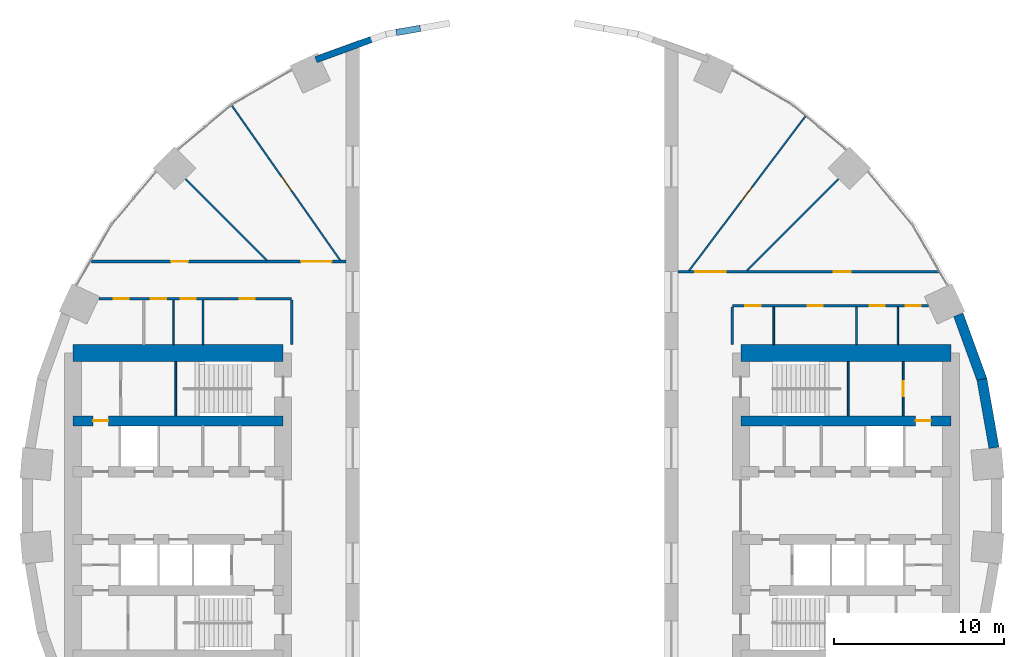
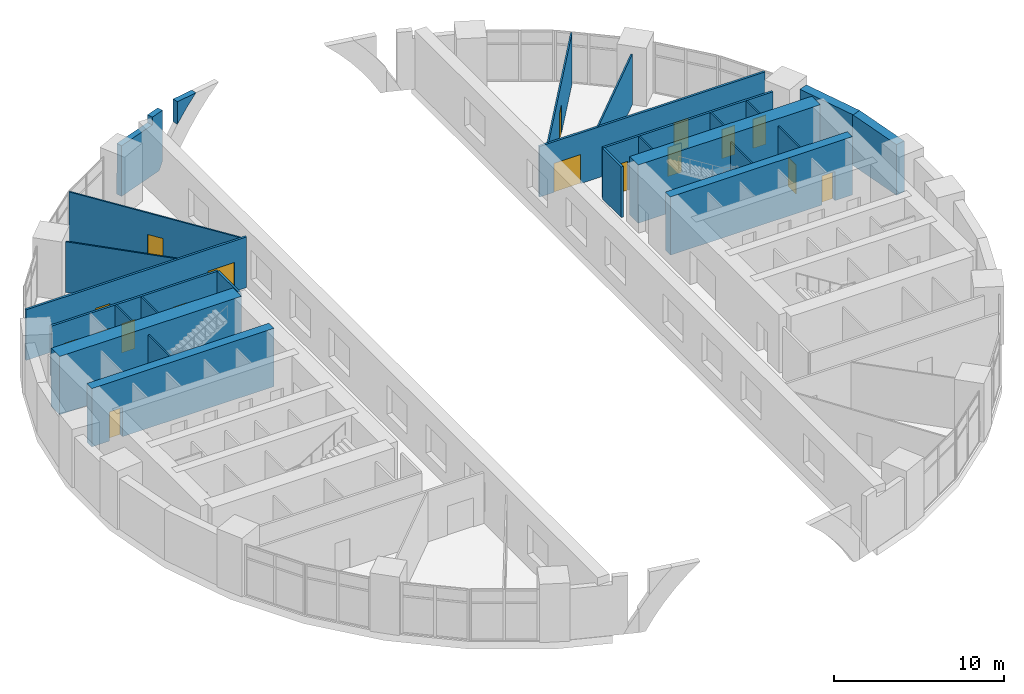
# One storey, part 11 of 13: 26 walls, 17 doors, 17 openings.
"""IFC4 building model written with IfcOpenShell, lengths in metres."""

from ifc_helpers import new_model, si_unit, direction, frame, frame_2d, origin, place, context, subcontext, project, spatial, polyline, rectangle, outline, extrude, material, layer, layer_set, type_object, element, fill, save


model = new_model("IFC4")

# Units and contexts
model_context = context("Model", 3, precision=1e-05, world=origin(), true_north=direction((0.0, 1.0)))
body_context = subcontext(model_context, "Body", "Model", "MODEL_VIEW")
ifc_project = project(units=[si_unit("LENGTHUNIT", "METRE"), si_unit("AREAUNIT", "SQUARE_METRE"), si_unit("VOLUMEUNIT", "CUBIC_METRE"), si_unit("PLANEANGLEUNIT", "RADIAN"), si_unit("MASSUNIT", "GRAM", prefix="KILO")], contexts=[model_context])

# Site, building, storey
site_placement = place(None, origin())
site = spatial("IfcSite", under=ifc_project, at=site_placement, CompositionType="ELEMENT")
building_placement = place(site_placement, origin())
building = spatial("IfcBuilding", under=site, at=building_placement, Name="Saqina Gate Tower", CompositionType="ELEMENT")
storey_placement = place(building_placement, frame((0.0, 0.0, 13.39990234375)))
storey = spatial("IfcBuildingStorey", under=building, at=storey_placement, Name="L03", CompositionType="ELEMENT", Elevation=13.39990234375)

# Wall, opening, door
ifc_material_1 = material(Name="Gypsum board on steel studs", Category="steel")
ifc_layer_1 = layer(ifc_material_1, 0.10009765625)
ifc_layer_set_1 = layer_set([ifc_layer_1], Name="CORE PARTITION")
wall_type_1 = type_object("IfcWallType", Name="CORE PARTITION", PredefinedType="PARTITIONING", material=ifc_layer_set_1)
wall_1_placement = place(storey_placement, frame((23.08154296875, 5.300048828125, 0.0), z_axis=(0.0, 0.0, 1.0), x_axis=(0.0, 1.0, 0.0)))
wall_1 = element("IfcWall", 1, at=wall_1_placement, inside=storey, type_object=wall_type_1, Name="L03-CP-E11", PredefinedType="PARTITIONING", context=body_context, shape_type="SweptSolid", body=[
    extrude(rectangle(XDim=3.199951171875, YDim=0.10009765625, at=frame_2d((1.60009765625, 0.0))), origin(), (0.0, 0.0, 1.0), 3.650146484375),
])
opening_1_placement = place(wall_1_placement, frame((1.14990234375, 0.0, 0.0)))
opening_1 = element("IfcOpeningElement", 2, at=opening_1_placement, cuts=wall_1, Name="Opening L03-D96", PredefinedType="OPENING", context=body_context, shape_type="SweptSolid", body=[
    extrude(rectangle(XDim=0.89990234375, YDim=2.10009765625, at=frame_2d((0.449951171875, 1.050048828125))), frame((0.0, 0.06201171875, 0.0), z_axis=(0.0, -1.0, 0.0), x_axis=(1.0, 0.0, 0.0)), (0.0, 0.0, 1.0), 0.1240234375),
])
ifc_material_2 = material(Name="Steel-framed fire door leaf, EI 60", Category="steel")
door_type_1 = type_object("IfcDoorType", Name="SERVICE ROOM DOOR 900", OperationType="SINGLE_SWING_LEFT", PredefinedType="DOOR", material=ifc_material_2)
door_1_placement = place(opening_1_placement, origin())
door_1 = element("IfcDoor", 3, at=door_1_placement, inside=storey, type_object=door_type_1, Name="L03-CD-E07", OperationType="SINGLE_SWING_LEFT", OverallHeight=2.10009765625, OverallWidth=0.89990234375, PredefinedType="DOOR", context=body_context, shape_type="SweptSolid", body=[
    extrude(rectangle(XDim=0.89990234375, YDim=2.10009765625, at=frame_2d((0.449951171875, 1.050048828125))), frame((0.0, 0.02490234375, 0.0), z_axis=(0.0, -1.0, 0.0), x_axis=(1.0, 0.0, 0.0)), (0.0, 0.0, 1.0), 0.050048828125),
])
fill(opening_1, door_1)

# Walls
ifc_material_3 = material(Name="Glazed ceramic tile", Category="ceramic")
ifc_layer_2 = layer(ifc_material_3, 0.3798828125)
ifc_layer_set_2 = layer_set([ifc_layer_2], Name="FW-ARCH")
wall_type_2 = type_object("IfcWallType", Name="FW-ARCH", PredefinedType="SOLIDWALL", material=ifc_layer_set_2)
wall_2_placement = place(storey_placement, frame((-6.854736328125, 28.0908203125, 4.2001953125), z_axis=(-0.173576941619, 0.984818077273, 0.002097621194), x_axis=(-0.000415212792, 0.002056770948, -0.999997798643)))
element("IfcWall", 4, at=wall_2_placement, inside=storey, type_object=wall_type_2, Name="Arch frame wall L03 facet 10", PredefinedType="SOLIDWALL", context=body_context, shape_type="SweptSolid", body=[
    extrude(outline(polyline([(0.0, 0.0), (0.5500502293484046, 4.743384504624082e-20), (1.637454799980469, -0.00019739842247555665), (0.7272579521875524, -0.7450175946909595), (-7.413699407938026e-05, -1.4326541685067107), (0.0, 0.0)])), origin(), (0.0, 0.0, -1.0), 0.3798828125),
])
wall_3_placement = place(storey_placement, frame((-11.63134765625, 26.481689453125, 0.0), z_axis=(-0.342026905008, 0.939688050207, 0.001991117406), x_axis=(0.93968991291, 0.342027583063, -3.2668e-08)))
element("IfcWall", 5, at=wall_3_placement, inside=storey, type_object=wall_type_2, Name="Arch frame wall L03 facet 11", PredefinedType="SOLIDWALL", context=body_context, shape_type="SweptSolid", body=[
    extrude(outline(polyline([(0.0, 0.0), (2.810119309704452, 2.168404344971009e-19), (3.4669067794928967, -8.51417831381103e-08), (3.7453027398539205, -0.5229503546293558), (3.7453633181678647, -3.65015388074659), (3.745258705369742, -4.200203611963998), (2.809887160479554, -4.200203889688386), (2.8100752761055734, -3.650153701678554), (-4.4033598879278454e-05, -3.650153701678554), (0.0, 0.0)])), origin(), (0.0, 0.0, -1.0), 0.3798828125),
])
ifc_material_4 = material(Name="Glazed ceramic tile", Category="ceramic")
ifc_layer_3 = layer(ifc_material_4, 0.60009765625)
ifc_layer_set_3 = layer_set([ifc_layer_3], Name="FW-TILE")
wall_type_3 = type_object("IfcWallType", Name="FW-TILE", PredefinedType="SOLIDWALL", material=ifc_layer_set_3)
wall_4_placement = place(storey_placement, frame((27.72998046875, 7.403076171875, 0.0), z_axis=(0.0, 0.0, 1.0), x_axis=(-0.342034744565, 0.939687306241, 0.0)))
element("IfcWall", 6, at=wall_4_placement, inside=storey, type_object=wall_type_3, Name="Facade wall L03 facet 2", PredefinedType="SOLIDWALL", context=body_context, shape_type="SweptSolid", body=[
    extrude(rectangle(XDim=4.099365234375, YDim=0.60009765625, at=frame_2d((2.0498046875, 0.0))), origin(), (0.0, 0.0, 1.0), 3.650146484375),
])
ifc_material_5 = material(Name="Glazed ceramic tile (white)", Category="ceramic")
ifc_layer_4 = layer(ifc_material_5, 0.60009765625)
ifc_layer_set_4 = layer_set([ifc_layer_4], Name="FW-TILE-WH")
wall_type_4 = type_object("IfcWallType", Name="FW-TILE-WH", PredefinedType="SOLIDWALL", material=ifc_layer_set_4)
wall_5_placement = place(storey_placement, frame((28.42822265625, 3.416748046875, 0.0), z_axis=(0.0, 0.0, 1.0), x_axis=(-0.173673210505, 0.984803338719, 0.0)))
element("IfcWall", 7, at=wall_5_placement, inside=storey, type_object=wall_type_4, Name="Facade wall L03 facet 1", PredefinedType="SOLIDWALL", context=body_context, shape_type="SweptSolid", body=[
    extrude(rectangle(XDim=4.09912109375, YDim=0.60009765625, at=frame_2d((2.049560546875, 0.0))), origin(), (0.0, 0.0, 1.0), 3.650146484375),
])

# Wall, opening, door
ifc_material_6 = material(Name="Gypsum board on steel studs, 100 mm", Category="steel")
ifc_layer_5 = layer(ifc_material_6, 0.10009765625)
ifc_layer_set_5 = layer_set([ifc_layer_5], Name="SPECIAL PARTITION 100")
wall_type_5 = type_object("IfcWallType", Name="SPECIAL PARTITION 100", PredefinedType="PARTITIONING", material=ifc_layer_set_5)
wall_6_placement = place(storey_placement, frame((-16.51904296875, 23.591064453125, 0.0), z_axis=(0.0, 0.0, 1.0), x_axis=(0.573601998214, -0.819134145086, 0.0)))
wall_6 = element("IfcWall", 8, at=wall_6_placement, inside=storey, type_object=wall_type_5, Name="PARTITION 002", PredefinedType="PARTITIONING", context=body_context, shape_type="SweptSolid", body=[
    extrude(rectangle(XDim=11.1455078125, YDim=0.10009765625, at=frame_2d((5.57275390625, 0.0))), origin(), (0.0, 0.0, 1.0), 3.650146484375),
])
opening_2_placement = place(wall_6_placement, frame((5.110107421875, 0.0, 0.0)))
opening_2 = element("IfcOpeningElement", 9, at=opening_2_placement, cuts=wall_6, Name="Opening L03-D08", PredefinedType="OPENING", context=body_context, shape_type="SweptSolid", body=[
    extrude(rectangle(XDim=1.0, YDim=2.10009765625, at=frame_2d((0.5, 1.050048828125))), frame((0.0, 0.06201171875, 0.0), z_axis=(0.0, -1.0, 0.0), x_axis=(1.0, 0.0, 0.0)), (0.0, 0.0, 1.0), 0.1240234375),
])
ifc_material_7 = material(Name="Timber door leaf", Category="wood")
door_type_2 = type_object("IfcDoorType", Name="SPECIAL DOOR 1000 TIMBER", OperationType="SINGLE_SWING_LEFT", PredefinedType="DOOR", material=ifc_material_7)
door_2_placement = place(opening_2_placement, origin())
door_2 = element("IfcDoor", 10, at=door_2_placement, inside=storey, type_object=door_type_2, Name="DOOR L03-D08", OperationType="SINGLE_SWING_RIGHT", OverallHeight=2.10009765625, OverallWidth=1.0, PredefinedType="DOOR", context=body_context, shape_type="SweptSolid", body=[
    extrude(rectangle(XDim=1.0, YDim=2.10009765625, at=frame_2d((0.5, 1.050048828125))), frame((0.0, 0.02490234375, 0.0), z_axis=(0.0, -1.0, 0.0), x_axis=(1.0, 0.0, 0.0)), (0.0, 0.0, 1.0), 0.050048828125),
])
fill(opening_2, door_2)

# Walls
wall_7_placement = place(storey_placement, frame((-19.26171875, 19.26171875, 0.0), z_axis=(0.0, 0.0, 1.0), x_axis=(0.707196525799, -0.707017025183, 0.0)))
element("IfcWall", 11, at=wall_7_placement, inside=storey, type_object=wall_type_5, Name="PARTITION 003", PredefinedType="PARTITIONING", context=body_context, shape_type="SweptSolid", body=[
    extrude(rectangle(XDim=6.800537109375, YDim=0.10009765625, at=frame_2d((3.400390625, 0.0))), origin(), (0.0, 0.0, 1.0), 3.650146484375),
])
wall_8_placement = place(storey_placement, frame((13.85302734375, 13.85302734375, 0.0), z_axis=(0.0, 0.0, 1.0), x_axis=(0.707106781187, 0.707106781187, 0.0)))
element("IfcWall", 12, at=wall_8_placement, inside=storey, type_object=wall_type_5, Name="PARTITION 014", PredefinedType="PARTITIONING", context=body_context, shape_type="SweptSolid", body=[
    extrude(rectangle(XDim=7.64892578125, YDim=0.10009765625, at=frame_2d((3.824462890625, 0.0))), origin(), (0.0, 0.0, 1.0), 3.650146484375),
])

# Wall, opening, door
wall_9_placement = place(storey_placement, frame((10.444091796875, 13.85986328125, 0.0), z_axis=(0.0, 0.0, 1.0), x_axis=(0.601842502347, 0.798614802248, 0.0)))
wall_9 = element("IfcWall", 13, at=wall_9_placement, inside=storey, type_object=wall_type_5, Name="PARTITION 015", PredefinedType="PARTITIONING", context=body_context, shape_type="SweptSolid", body=[
    extrude(rectangle(XDim=11.375, YDim=0.10009765625, at=frame_2d((5.6875, 0.0))), origin(), (0.0, 0.0, 1.0), 3.650146484375),
])
opening_3_placement = place(wall_9_placement, frame((5.14990234375, 0.0, 0.0)))
opening_3 = element("IfcOpeningElement", 14, at=opening_3_placement, cuts=wall_9, Name="Opening L03-D07", PredefinedType="OPENING", context=body_context, shape_type="SweptSolid", body=[
    extrude(rectangle(XDim=1.0, YDim=2.10009765625, at=frame_2d((0.5, 1.050048828125))), frame((0.0, 0.06201171875, 0.0), z_axis=(0.0, -1.0, 0.0), x_axis=(1.0, 0.0, 0.0)), (0.0, 0.0, 1.0), 0.1240234375),
])
door_3_placement = place(opening_3_placement, origin())
door_3 = element("IfcDoor", 15, at=door_3_placement, inside=storey, type_object=door_type_2, Name="DOOR L03-D07", OperationType="SINGLE_SWING_LEFT", OverallHeight=2.10009765625, OverallWidth=1.0, PredefinedType="DOOR", context=body_context, shape_type="SweptSolid", body=[
    extrude(rectangle(XDim=1.0, YDim=2.10009765625, at=frame_2d((0.5, 1.050048828125))), frame((0.0, 0.02490234375, 0.0), z_axis=(0.0, -1.0, 0.0), x_axis=(1.0, 0.0, 0.0)), (0.0, 0.0, 1.0), 0.050048828125),
])
fill(opening_3, door_3)

# Walls
for number, where, z_axis, x_axis, name in (
    (16, (22.760009765625, 9.5, 0.0), (0.0, 0.0, 1.0), (0.0, 1.0, 0.0), "PARTITION 018"),
    (17, (20.320068359375, 9.5, 0.0), (0.0, 0.0, 1.0), (0.0, 1.0, 0.0), "PARTITION 020"),
    (18, (15.43994140625, 9.5, 0.0), (0.0, 0.0, 1.0), (0.0, 1.0, 0.0), "PARTITION 022"),
):
    element("IfcWall", number, at=place(storey_placement, frame(where, z_axis=z_axis, x_axis=x_axis)), inside=storey, type_object=wall_type_5, Name=name, PredefinedType="PARTITIONING", context=body_context, shape_type="SweptSolid", body=[
        extrude(rectangle(XDim=2.22509765625, YDim=0.10009765625, at=frame_2d((1.112548828125, 0.0))), origin(), (0.0, 0.0, 1.0), 3.650146484375),
    ])
for number, where, z_axis, x_axis, name in (
    (19, (-18.22900390625, 9.5, 0.0), (0.0, 0.0, 1.0), (0.0, 1.0, 0.0), "PARTITION 029"),
    (20, (-19.970947265625, 9.5, 0.0), (0.0, 0.0, 1.0), (0.0, 1.0, 0.0), "PARTITION 030"),
):
    element("IfcWall", number, at=place(storey_placement, frame(where, z_axis=z_axis, x_axis=x_axis)), inside=storey, type_object=wall_type_5, Name=name, PredefinedType="PARTITIONING", context=body_context, shape_type="SweptSolid", body=[
        extrude(rectangle(XDim=2.625, YDim=0.10009765625, at=frame_2d((1.3125, 0.0))), origin(), (0.0, 0.0, 1.0), 3.650146484375),
    ])

# Wall, openings, doors
ifc_material_8 = material(Name="Gypsum board on steel studs, 150 mm, fire rated", Category="steel")
ifc_layer_6 = layer(ifc_material_8, 0.14990234375)
ifc_layer_set_6 = layer_set([ifc_layer_6], Name="SPECIAL PARTITION EI 30 150")
wall_type_6 = type_object("IfcWallType", Name="SPECIAL PARTITION EI 30 150", PredefinedType="PARTITIONING", material=ifc_layer_set_6)
wall_10_placement = place(storey_placement, frame((13.0, 11.800048828125, 0.0), z_axis=(0.0, 0.0, 1.0), x_axis=(1.0, 0.0, 0.0)))
wall_10 = element("IfcWall", 21, at=wall_10_placement, inside=storey, type_object=wall_type_6, Name="PARTITION 009", PredefinedType="PARTITIONING", context=body_context, shape_type="SweptSolid", body=[
    extrude(rectangle(XDim=11.5537109375, YDim=0.14990234375, at=frame_2d((5.77685546875, 0.0))), origin(), (0.0, 0.0, 1.0), 3.650146484375),
])
opening_4_placement = place(wall_10_placement, frame((10.21240234375, 0.0, 0.0)))
opening_4 = element("IfcOpeningElement", 22, at=opening_4_placement, cuts=wall_10, Name="Opening L03-D01", PredefinedType="OPENING", context=body_context, shape_type="SweptSolid", body=[
    extrude(rectangle(XDim=0.89990234375, YDim=2.10009765625, at=frame_2d((0.449951171875, 1.050048828125))), frame((0.0, 0.0869140625, 0.0), z_axis=(0.0, -1.0, 0.0), x_axis=(1.0, 0.0, 0.0)), (0.0, 0.0, 1.0), 0.173828125),
])
opening_5_placement = place(wall_10_placement, frame((8.090087890625, 0.0, 0.0)))
opening_5 = element("IfcOpeningElement", 23, at=opening_5_placement, cuts=wall_10, Name="Opening L03-D02", PredefinedType="OPENING", context=body_context, shape_type="SweptSolid", body=[
    extrude(rectangle(XDim=0.89990234375, YDim=2.10009765625, at=frame_2d((0.449951171875, 1.050048828125))), frame((0.0, 0.0869140625, 0.0), z_axis=(0.0, -1.0, 0.0), x_axis=(1.0, 0.0, 0.0)), (0.0, 0.0, 1.0), 0.173828125),
])
opening_6_placement = place(wall_10_placement, frame((4.429931640625, 0.0, 0.0)))
opening_6 = element("IfcOpeningElement", 24, at=opening_6_placement, cuts=wall_10, Name="Opening L03-D03", PredefinedType="OPENING", context=body_context, shape_type="SweptSolid", body=[
    extrude(rectangle(XDim=0.89990234375, YDim=2.10009765625, at=frame_2d((0.449951171875, 1.050048828125))), frame((0.0, 0.0869140625, 0.0), z_axis=(0.0, -1.0, 0.0), x_axis=(1.0, 0.0, 0.0)), (0.0, 0.0, 1.0), 0.173828125),
])
opening_7_placement = place(wall_10_placement, frame((0.77001953125, 0.0, 0.0)))
opening_7 = element("IfcOpeningElement", 25, at=opening_7_placement, cuts=wall_10, Name="Opening L03-D05", PredefinedType="OPENING", context=body_context, shape_type="SweptSolid", body=[
    extrude(rectangle(XDim=0.89990234375, YDim=2.10009765625, at=frame_2d((0.449951171875, 1.050048828125))), frame((0.0, 0.0869140625, 0.0), z_axis=(0.0, -1.0, 0.0), x_axis=(1.0, 0.0, 0.0)), (0.0, 0.0, 1.0), 0.173828125),
])
ifc_material_9 = material(Name="Steel-framed fire door leaf, EI 30", Category="steel")
door_type_3 = type_object("IfcDoorType", Name="SPECIAL DOOR 900 FIRE EI 30", OperationType="SINGLE_SWING_LEFT", PredefinedType="DOOR", material=ifc_material_9)
door_4_placement = place(opening_4_placement, frame((0.89990234375, 0.0, 0.0), z_axis=(0.0, 0.0, 1.0), x_axis=(-1.0, 0.0, 0.0)))
door_4 = element("IfcDoor", 26, at=door_4_placement, inside=storey, type_object=door_type_3, Name="DOOR L03-D01", OperationType="SINGLE_SWING_RIGHT", OverallHeight=2.10009765625, OverallWidth=0.89990234375, PredefinedType="DOOR", context=body_context, shape_type="SweptSolid", body=[
    extrude(rectangle(XDim=0.89990234375, YDim=2.10009765625, at=frame_2d((0.449951171875, 1.050048828125))), frame((0.0, 0.02490234375, 0.0), z_axis=(0.0, -1.0, 0.0), x_axis=(1.0, 0.0, 0.0)), (0.0, 0.0, 1.0), 0.050048828125),
])
fill(opening_4, door_4)
door_5_placement = place(opening_5_placement, frame((0.89990234375, 0.0, 0.0), z_axis=(0.0, 0.0, 1.0), x_axis=(-1.0, 0.0, 0.0)))
door_5 = element("IfcDoor", 27, at=door_5_placement, inside=storey, type_object=door_type_3, Name="DOOR L03-D02", OperationType="SINGLE_SWING_LEFT", OverallHeight=2.10009765625, OverallWidth=0.89990234375, PredefinedType="DOOR", context=body_context, shape_type="SweptSolid", body=[
    extrude(rectangle(XDim=0.89990234375, YDim=2.10009765625, at=frame_2d((0.449951171875, 1.050048828125))), frame((0.0, 0.02490234375, 0.0), z_axis=(0.0, -1.0, 0.0), x_axis=(1.0, 0.0, 0.0)), (0.0, 0.0, 1.0), 0.050048828125),
])
fill(opening_5, door_5)
door_6_placement = place(opening_6_placement, frame((0.89990234375, 0.0, 0.0), z_axis=(0.0, 0.0, 1.0), x_axis=(-1.0, 0.0, 0.0)))
door_6 = element("IfcDoor", 28, at=door_6_placement, inside=storey, type_object=door_type_3, Name="DOOR L03-D03", OperationType="SINGLE_SWING_RIGHT", OverallHeight=2.10009765625, OverallWidth=0.89990234375, PredefinedType="DOOR", context=body_context, shape_type="SweptSolid", body=[
    extrude(rectangle(XDim=0.89990234375, YDim=2.10009765625, at=frame_2d((0.449951171875, 1.050048828125))), frame((0.0, 0.02490234375, 0.0), z_axis=(0.0, -1.0, 0.0), x_axis=(1.0, 0.0, 0.0)), (0.0, 0.0, 1.0), 0.050048828125),
])
fill(opening_6, door_6)
door_7_placement = place(opening_7_placement, frame((0.89990234375, 0.0, 0.0), z_axis=(0.0, 0.0, 1.0), x_axis=(-1.0, 0.0, 0.0)))
door_7 = element("IfcDoor", 29, at=door_7_placement, inside=storey, type_object=door_type_3, Name="DOOR L03-D05", OperationType="SINGLE_SWING_RIGHT", OverallHeight=2.10009765625, OverallWidth=0.89990234375, PredefinedType="DOOR", context=body_context, shape_type="SweptSolid", body=[
    extrude(rectangle(XDim=0.89990234375, YDim=2.10009765625, at=frame_2d((0.449951171875, 1.050048828125))), frame((0.0, 0.02490234375, 0.0), z_axis=(0.0, -1.0, 0.0), x_axis=(1.0, 0.0, 0.0)), (0.0, 0.0, 1.0), 0.050048828125),
])
fill(opening_7, door_7)

wall_11_placement = place(storey_placement, frame((-24.3671875, 12.199951171875, 0.0), z_axis=(0.0, 0.0, 1.0), x_axis=(1.0, 0.0, 0.0)))
wall_11 = element("IfcWall", 30, at=wall_11_placement, inside=storey, type_object=wall_type_6, Name="PARTITION 010", PredefinedType="PARTITIONING", context=body_context, shape_type="SweptSolid", body=[
    extrude(rectangle(XDim=11.3671875, YDim=0.14990234375, at=frame_2d((5.68359375, 0.0))), origin(), (0.0, 0.0, 1.0), 3.650146484375),
])
opening_8_placement = place(wall_11_placement, frame((8.302490234375, 0.0, 0.0)))
opening_8 = element("IfcOpeningElement", 31, at=opening_8_placement, cuts=wall_11, Name="Opening L03-D10", PredefinedType="OPENING", context=body_context, shape_type="SweptSolid", body=[
    extrude(rectangle(XDim=0.89990234375, YDim=2.10009765625, at=frame_2d((0.449951171875, 1.050048828125))), frame((0.0, 0.0869140625, 0.0), z_axis=(0.0, -1.0, 0.0), x_axis=(1.0, 0.0, 0.0)), (0.0, 0.0, 1.0), 0.173828125),
])
opening_9_placement = place(wall_11_placement, frame((4.817138671875, 0.0, 0.0)))
opening_9 = element("IfcOpeningElement", 32, at=opening_9_placement, cuts=wall_11, Name="Opening L03-D12", PredefinedType="OPENING", context=body_context, shape_type="SweptSolid", body=[
    extrude(rectangle(XDim=0.89990234375, YDim=2.10009765625, at=frame_2d((0.449951171875, 1.050048828125))), frame((0.0, 0.0869140625, 0.0), z_axis=(0.0, -1.0, 0.0), x_axis=(1.0, 0.0, 0.0)), (0.0, 0.0, 1.0), 0.173828125),
])
opening_10_placement = place(wall_11_placement, frame((3.07470703125, 0.0, 0.0)))
opening_10 = element("IfcOpeningElement", 33, at=opening_10_placement, cuts=wall_11, Name="Opening L03-D13", PredefinedType="OPENING", context=body_context, shape_type="SweptSolid", body=[
    extrude(rectangle(XDim=0.89990234375, YDim=2.10009765625, at=frame_2d((0.449951171875, 1.050048828125))), frame((0.0, 0.0869140625, 0.0), z_axis=(0.0, -1.0, 0.0), x_axis=(1.0, 0.0, 0.0)), (0.0, 0.0, 1.0), 0.173828125),
])
opening_11_placement = place(wall_11_placement, frame((0.87060546875, 0.0, 0.0)))
opening_11 = element("IfcOpeningElement", 34, at=opening_11_placement, cuts=wall_11, Name="Opening L03-D14", PredefinedType="OPENING", context=body_context, shape_type="SweptSolid", body=[
    extrude(rectangle(XDim=0.89990234375, YDim=2.10009765625, at=frame_2d((0.449951171875, 1.050048828125))), frame((0.0, 0.0869140625, 0.0), z_axis=(0.0, -1.0, 0.0), x_axis=(1.0, 0.0, 0.0)), (0.0, 0.0, 1.0), 0.173828125),
])
door_8_placement = place(opening_8_placement, frame((0.89990234375, 0.0, 0.0), z_axis=(0.0, 0.0, 1.0), x_axis=(-1.0, 0.0, 0.0)))
door_8 = element("IfcDoor", 35, at=door_8_placement, inside=storey, type_object=door_type_3, Name="DOOR L03-D10", OperationType="SINGLE_SWING_LEFT", OverallHeight=2.10009765625, OverallWidth=0.89990234375, PredefinedType="DOOR", context=body_context, shape_type="SweptSolid", body=[
    extrude(rectangle(XDim=0.89990234375, YDim=2.10009765625, at=frame_2d((0.449951171875, 1.050048828125))), frame((0.0, 0.02490234375, 0.0), z_axis=(0.0, -1.0, 0.0), x_axis=(1.0, 0.0, 0.0)), (0.0, 0.0, 1.0), 0.050048828125),
])
fill(opening_8, door_8)
door_9_placement = place(opening_9_placement, frame((0.89990234375, 0.0, 0.0), z_axis=(0.0, 0.0, 1.0), x_axis=(-1.0, 0.0, 0.0)))
door_9 = element("IfcDoor", 36, at=door_9_placement, inside=storey, type_object=door_type_3, Name="DOOR L03-D12", OperationType="SINGLE_SWING_RIGHT", OverallHeight=2.10009765625, OverallWidth=0.89990234375, PredefinedType="DOOR", context=body_context, shape_type="SweptSolid", body=[
    extrude(rectangle(XDim=0.89990234375, YDim=2.10009765625, at=frame_2d((0.449951171875, 1.050048828125))), frame((0.0, 0.02490234375, 0.0), z_axis=(0.0, -1.0, 0.0), x_axis=(1.0, 0.0, 0.0)), (0.0, 0.0, 1.0), 0.050048828125),
])
fill(opening_9, door_9)
door_10_placement = place(opening_10_placement, frame((0.89990234375, 0.0, 0.0), z_axis=(0.0, 0.0, 1.0), x_axis=(-1.0, 0.0, 0.0)))
door_10 = element("IfcDoor", 37, at=door_10_placement, inside=storey, type_object=door_type_3, Name="DOOR L03-D13", OperationType="SINGLE_SWING_RIGHT", OverallHeight=2.10009765625, OverallWidth=0.89990234375, PredefinedType="DOOR", context=body_context, shape_type="SweptSolid", body=[
    extrude(rectangle(XDim=0.89990234375, YDim=2.10009765625, at=frame_2d((0.449951171875, 1.050048828125))), frame((0.0, 0.02490234375, 0.0), z_axis=(0.0, -1.0, 0.0), x_axis=(1.0, 0.0, 0.0)), (0.0, 0.0, 1.0), 0.050048828125),
])
fill(opening_10, door_10)
door_11_placement = place(opening_11_placement, frame((0.89990234375, 0.0, 0.0), z_axis=(0.0, 0.0, 1.0), x_axis=(-1.0, 0.0, 0.0)))
door_11 = element("IfcDoor", 38, at=door_11_placement, inside=storey, type_object=door_type_3, Name="DOOR L03-D14", OperationType="SINGLE_SWING_RIGHT", OverallHeight=2.10009765625, OverallWidth=0.89990234375, PredefinedType="DOOR", context=body_context, shape_type="SweptSolid", body=[
    extrude(rectangle(XDim=0.89990234375, YDim=2.10009765625, at=frame_2d((0.449951171875, 1.050048828125))), frame((0.0, 0.02490234375, 0.0), z_axis=(0.0, -1.0, 0.0), x_axis=(1.0, 0.0, 0.0)), (0.0, 0.0, 1.0), 0.050048828125),
])
fill(opening_11, door_11)

wall_12_placement = place(storey_placement, frame((9.800048828125, 13.800048828125, 0.0), z_axis=(0.0, 0.0, 1.0), x_axis=(1.0, 0.0, 0.0)))
wall_12 = element("IfcWall", 39, at=wall_12_placement, inside=storey, type_object=wall_type_6, Name="PARTITION 011", PredefinedType="PARTITIONING", context=body_context, shape_type="SweptSolid", body=[
    extrude(rectangle(XDim=15.35986328125, YDim=0.14990234375, at=frame_2d((7.679931640625, 0.0))), origin(), (0.0, 0.0, 1.0), 3.650146484375),
])
opening_12_placement = place(wall_12_placement, frame((9.180908203125, 0.0, 0.0)))
opening_12 = element("IfcOpeningElement", 40, at=opening_12_placement, cuts=wall_12, Name="Opening L03-D04", PredefinedType="OPENING", context=body_context, shape_type="SweptSolid", body=[
    extrude(rectangle(XDim=1.0, YDim=2.10009765625, at=frame_2d((0.5, 1.050048828125))), frame((0.0, 0.0869140625, 0.0), z_axis=(0.0, -1.0, 0.0), x_axis=(1.0, 0.0, 0.0)), (0.0, 0.0, 1.0), 0.173828125),
])
opening_13_placement = place(wall_12_placement, frame((1.00146484375, 0.0, 0.0)))
opening_13 = element("IfcOpeningElement", 41, at=opening_13_placement, cuts=wall_12, Name="Opening L03-D06", PredefinedType="OPENING", context=body_context, shape_type="SweptSolid", body=[
    extrude(rectangle(XDim=1.800048828125, YDim=2.10009765625, at=frame_2d((0.89990234375, 1.050048828125))), frame((0.0, 0.0869140625, 0.0), z_axis=(0.0, -1.0, 0.0), x_axis=(1.0, 0.0, 0.0)), (0.0, 0.0, 1.0), 0.173828125),
])
ifc_material_10 = material(Name="Steel-framed fire door leaf, EI 30", Category="steel")
door_type_4 = type_object("IfcDoorType", Name="SPECIAL DOOR 1000 FIRE EI 30", OperationType="SINGLE_SWING_LEFT", PredefinedType="DOOR", material=ifc_material_10)
door_12_placement = place(opening_12_placement, origin())
door_12 = element("IfcDoor", 42, at=door_12_placement, inside=storey, type_object=door_type_4, Name="DOOR L03-D04", OperationType="SINGLE_SWING_RIGHT", OverallHeight=2.10009765625, OverallWidth=1.0, PredefinedType="DOOR", context=body_context, shape_type="SweptSolid", body=[
    extrude(rectangle(XDim=1.0, YDim=2.10009765625, at=frame_2d((0.5, 1.050048828125))), frame((0.0, 0.02490234375, 0.0), z_axis=(0.0, -1.0, 0.0), x_axis=(1.0, 0.0, 0.0)), (0.0, 0.0, 1.0), 0.050048828125),
])
fill(opening_12, door_12)
ifc_material_11 = material(Name="Steel-framed fire door leaf, EI 30", Category="steel")
door_type_5 = type_object("IfcDoorType", Name="SPECIAL DOUBLE DOOR 1800 FIRE EI 30", OperationType="DOUBLE_DOOR_SINGLE_SWING", PredefinedType="DOOR", material=ifc_material_11)
door_13_placement = place(opening_13_placement, frame((1.800048828125, 0.0, 0.0), z_axis=(0.0, 0.0, 1.0), x_axis=(-1.0, 0.0, 0.0)))
door_13 = element("IfcDoor", 43, at=door_13_placement, inside=storey, type_object=door_type_5, Name="DOOR L03-D06", OperationType="DOUBLE_DOOR_SINGLE_SWING", OverallHeight=2.10009765625, OverallWidth=1.800048828125, PredefinedType="DOOR", context=body_context, shape_type="SweptSolid", body=[
    extrude(rectangle(XDim=1.800048828125, YDim=2.10009765625, at=frame_2d((0.89990234375, 1.050048828125))), frame((0.0, 0.02490234375, 0.0), z_axis=(0.0, -1.0, 0.0), x_axis=(1.0, 0.0, 0.0)), (0.0, 0.0, 1.0), 0.050048828125),
])
fill(opening_13, door_13)

wall_13_placement = place(storey_placement, frame((-24.81396484375, 14.39990234375, 0.0), z_axis=(0.0, 0.0, 1.0), x_axis=(1.0, 0.0, 0.0)))
wall_13 = element("IfcWall", 44, at=wall_13_placement, inside=storey, type_object=wall_type_6, Name="PARTITION 012", PredefinedType="PARTITIONING", context=body_context, shape_type="SweptSolid", body=[
    extrude(rectangle(XDim=15.013916015625, YDim=0.14990234375, at=frame_2d((7.5068359375, 0.0))), origin(), (0.0, 0.0, 1.0), 3.650146484375),
])
opening_14_placement = place(wall_13_placement, frame((12.37060546875, 0.0, 0.0)))
opening_14 = element("IfcOpeningElement", 45, at=opening_14_placement, cuts=wall_13, Name="Opening L03-D09", PredefinedType="OPENING", context=body_context, shape_type="SweptSolid", body=[
    extrude(rectangle(XDim=1.800048828125, YDim=2.10009765625, at=frame_2d((0.89990234375, 1.050048828125))), frame((0.0, 0.0869140625, 0.0), z_axis=(0.0, -1.0, 0.0), x_axis=(1.0, 0.0, 0.0)), (0.0, 0.0, 1.0), 0.173828125),
])
opening_15_placement = place(wall_13_placement, frame((4.7060546875, 0.0, 0.0)))
opening_15 = element("IfcOpeningElement", 46, at=opening_15_placement, cuts=wall_13, Name="Opening L03-D11", PredefinedType="OPENING", context=body_context, shape_type="SweptSolid", body=[
    extrude(rectangle(XDim=1.0, YDim=2.10009765625, at=frame_2d((0.5, 1.050048828125))), frame((0.0, 0.0869140625, 0.0), z_axis=(0.0, -1.0, 0.0), x_axis=(1.0, 0.0, 0.0)), (0.0, 0.0, 1.0), 0.173828125),
])
door_14_placement = place(opening_15_placement, origin())
door_14 = element("IfcDoor", 47, at=door_14_placement, inside=storey, type_object=door_type_4, Name="DOOR L03-D11", OperationType="SINGLE_SWING_LEFT", OverallHeight=2.10009765625, OverallWidth=1.0, PredefinedType="DOOR", context=body_context, shape_type="SweptSolid", body=[
    extrude(rectangle(XDim=1.0, YDim=2.10009765625, at=frame_2d((0.5, 1.050048828125))), frame((0.0, 0.02490234375, 0.0), z_axis=(0.0, -1.0, 0.0), x_axis=(1.0, 0.0, 0.0)), (0.0, 0.0, 1.0), 0.050048828125),
])
fill(opening_15, door_14)
door_15_placement = place(opening_14_placement, frame((1.800048828125, 0.0, 0.0), z_axis=(0.0, 0.0, 1.0), x_axis=(-1.0, 0.0, 0.0)))
door_15 = element("IfcDoor", 48, at=door_15_placement, inside=storey, type_object=door_type_5, Name="DOOR L03-D09", OperationType="DOUBLE_DOOR_SINGLE_SWING", OverallHeight=2.10009765625, OverallWidth=1.800048828125, PredefinedType="DOOR", context=body_context, shape_type="SweptSolid", body=[
    extrude(rectangle(XDim=1.800048828125, YDim=2.10009765625, at=frame_2d((0.89990234375, 1.050048828125))), frame((0.0, 0.02490234375, 0.0), z_axis=(0.0, -1.0, 0.0), x_axis=(1.0, 0.0, 0.0)), (0.0, 0.0, 1.0), 0.050048828125),
])
fill(opening_14, door_15)

# Walls
wall_14_placement = place(storey_placement, frame((13.0, 9.5, 0.0), z_axis=(0.0, 0.0, 1.0), x_axis=(0.0, 1.0, 0.0)))
element("IfcWall", 49, at=wall_14_placement, inside=storey, type_object=wall_type_6, Name="PARTITION 024", PredefinedType="PARTITIONING", context=body_context, shape_type="SweptSolid", body=[
    extrude(rectangle(XDim=2.22509765625, YDim=0.14990234375, at=frame_2d((1.112548828125, 0.0))), origin(), (0.0, 0.0, 1.0), 3.650146484375),
])
wall_15_placement = place(storey_placement, frame((-13.0, 9.5, 0.0), z_axis=(0.0, 0.0, 1.0), x_axis=(0.0, 1.0, 0.0)))
element("IfcWall", 50, at=wall_15_placement, inside=storey, type_object=wall_type_6, Name="PARTITION 026", PredefinedType="PARTITIONING", context=body_context, shape_type="SweptSolid", body=[
    extrude(rectangle(XDim=2.625, YDim=0.14990234375, at=frame_2d((1.3125, 0.0))), origin(), (0.0, 0.0, 1.0), 3.650146484375),
])
ifc_material_12 = material(Name="Autoclaved aerated concrete block", Category="concrete")
ifc_layer_7 = layer(ifc_material_12, 0.10009765625)
ifc_layer_set_7 = layer_set([ifc_layer_7], Name="STAIR ENCLOSURE WALL")
wall_type_7 = type_object("IfcWallType", Name="STAIR ENCLOSURE WALL", PredefinedType="PARTITIONING", material=ifc_layer_set_7)
for number, where, z_axis, x_axis, name in (
    (51, (19.830078125, 5.300048828125, 0.0), (0.0, 0.0, 1.0), (0.0, 1.0, 0.0), "L03-CP-E10"),
    (52, (-19.830078125, 5.300048828125, 0.0), (0.0, 0.0, 1.0), (0.0, 1.0, 0.0), "L03-CP-W10"),
):
    element("IfcWall", number, at=place(storey_placement, frame(where, z_axis=z_axis, x_axis=x_axis)), inside=storey, type_object=wall_type_7, Name=name, PredefinedType="PARTITIONING", context=body_context, shape_type="SweptSolid", body=[
        extrude(rectangle(XDim=3.199951171875, YDim=0.10009765625, at=frame_2d((1.60009765625, 0.0))), origin(), (0.0, 0.0, 1.0), 3.650146484375),
    ])

# Wall, opening, door
ifc_material_13 = material(Name="Concrete C70/85", Category="concrete")
ifc_layer_8 = layer(ifc_material_13, 0.60009765625)
ifc_layer_set_8 = layer_set([ifc_layer_8], Name="Concrete C70/85")
wall_type_8 = type_object("IfcWallType", Name="STR-CORE WALL-P-I", PredefinedType="SHEAR", material=ifc_layer_set_8)
wall_16_placement = place(storey_placement, frame((13.5, 5.0, 0.0), z_axis=(0.0, 0.0, 1.0), x_axis=(1.0, 0.0, 0.0)))
wall_16 = element("IfcWall", 53, at=wall_16_placement, inside=storey, type_object=wall_type_8, Name="CORE WALL L03 E-X1", PredefinedType="SHEAR", context=body_context, shape_type="SweptSolid", body=[
    extrude(rectangle(XDim=12.39990234375, YDim=0.60009765625, at=frame_2d((6.199951171875, 0.0))), origin(), (0.0, 0.0, 1.0), 4.2001953125),
])
opening_16_placement = place(wall_16_placement, frame((10.31005859375, 0.0, 0.0)))
opening_16 = element("IfcOpeningElement", 54, at=opening_16_placement, cuts=wall_16, Name="Opening L03-D97", PredefinedType="OPENING", context=body_context, shape_type="SweptSolid", body=[
    extrude(rectangle(XDim=0.89990234375, YDim=2.10009765625, at=frame_2d((0.449951171875, 1.050048828125))), frame((0.0, 0.31201171875, 0.0), z_axis=(0.0, -1.0, 0.0), x_axis=(1.0, 0.0, 0.0)), (0.0, 0.0, 1.0), 0.6240234375),
])
door_16_placement = place(opening_16_placement, origin())
door_16 = element("IfcDoor", 55, at=door_16_placement, inside=storey, type_object=door_type_1, Name="L03-CD-E08", OperationType="SINGLE_SWING_RIGHT", OverallHeight=2.10009765625, OverallWidth=0.89990234375, PredefinedType="DOOR", context=body_context, shape_type="SweptSolid", body=[
    extrude(rectangle(XDim=0.89990234375, YDim=2.10009765625, at=frame_2d((0.449951171875, 1.050048828125))), frame((0.0, 0.02490234375, 0.0), z_axis=(0.0, -1.0, 0.0), x_axis=(1.0, 0.0, 0.0)), (0.0, 0.0, 1.0), 0.050048828125),
])
fill(opening_16, door_16)

wall_17_placement = place(storey_placement, frame((-13.5, 5.0, 0.0), z_axis=(0.0, 0.0, 1.0), x_axis=(-1.0, 0.0, 0.0)))
wall_17 = element("IfcWall", 56, at=wall_17_placement, inside=storey, type_object=wall_type_8, Name="CORE WALL L03 W-X1", PredefinedType="SHEAR", context=body_context, shape_type="SweptSolid", body=[
    extrude(rectangle(XDim=12.39990234375, YDim=0.60009765625, at=frame_2d((6.199951171875, 0.0))), origin(), (0.0, 0.0, 1.0), 4.2001953125),
])
opening_17_placement = place(wall_17_placement, frame((10.31005859375, 0.0, 0.0)))
opening_17 = element("IfcOpeningElement", 57, at=opening_17_placement, cuts=wall_17, Name="Opening L03-D112", PredefinedType="OPENING", context=body_context, shape_type="SweptSolid", body=[
    extrude(rectangle(XDim=0.89990234375, YDim=2.10009765625, at=frame_2d((0.449951171875, 1.050048828125))), frame((0.0, 0.31201171875, 0.0), z_axis=(0.0, -1.0, 0.0), x_axis=(1.0, 0.0, 0.0)), (0.0, 0.0, 1.0), 0.6240234375),
])
door_17_placement = place(opening_17_placement, frame((0.89990234375, 0.0, 0.0), z_axis=(0.0, 0.0, 1.0), x_axis=(-1.0, 0.0, 0.0)))
door_17 = element("IfcDoor", 58, at=door_17_placement, inside=storey, type_object=door_type_1, Name="L03-CD-W23", OperationType="SINGLE_SWING_LEFT", OverallHeight=2.10009765625, OverallWidth=0.89990234375, PredefinedType="DOOR", context=body_context, shape_type="SweptSolid", body=[
    extrude(rectangle(XDim=0.89990234375, YDim=2.10009765625, at=frame_2d((0.449951171875, 1.050048828125))), frame((0.0, 0.02490234375, 0.0), z_axis=(0.0, -1.0, 0.0), x_axis=(1.0, 0.0, 0.0)), (0.0, 0.0, 1.0), 0.050048828125),
])
fill(opening_17, door_17)

# Walls
ifc_material_14 = material(Name="Concrete C70/85", Category="concrete")
ifc_layer_9 = layer(ifc_material_14, 1.0)
ifc_layer_set_9 = layer_set([ifc_layer_9], Name="Concrete C70/85")
wall_type_9 = type_object("IfcWallType", Name="STR-CORE WALL-P-O", PredefinedType="SHEAR", material=ifc_layer_set_9)
for number, where, z_axis, x_axis, name in (
    (59, (13.5, 9.0, 0.0), (0.0, 0.0, 1.0), (1.0, 0.0, 0.0), "CORE WALL L03 E-NE"),
    (60, (-13.5, 9.0, 0.0), (0.0, 0.0, 1.0), (-1.0, 0.0, 0.0), "CORE WALL L03 W-NE"),
):
    element("IfcWall", number, at=place(storey_placement, frame(where, z_axis=z_axis, x_axis=x_axis)), inside=storey, type_object=wall_type_9, Name=name, PredefinedType="SHEAR", context=body_context, shape_type="SweptSolid", body=[
        extrude(rectangle(XDim=12.39990234375, YDim=1.0, at=frame_2d((6.199951171875, 0.0))), origin(), (0.0, 0.0, 1.0), 4.2001953125),
    ])

save(model, "model.ifc")
